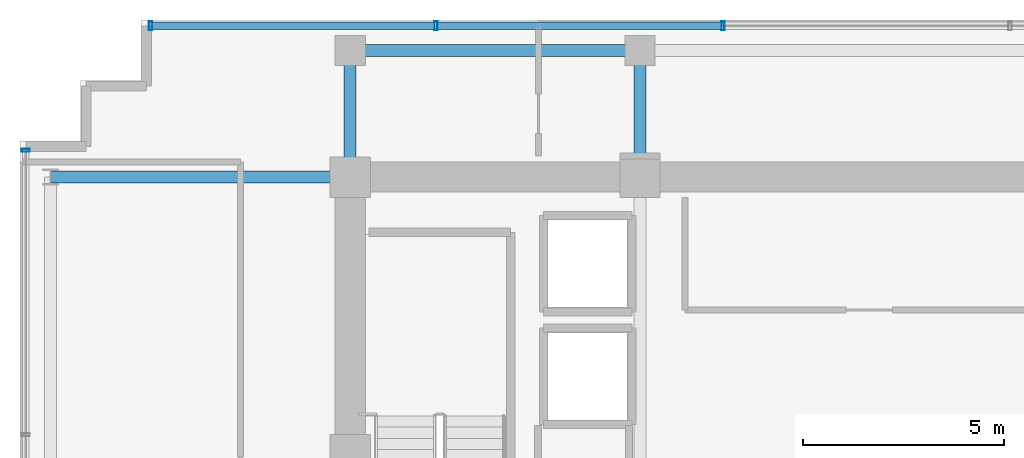
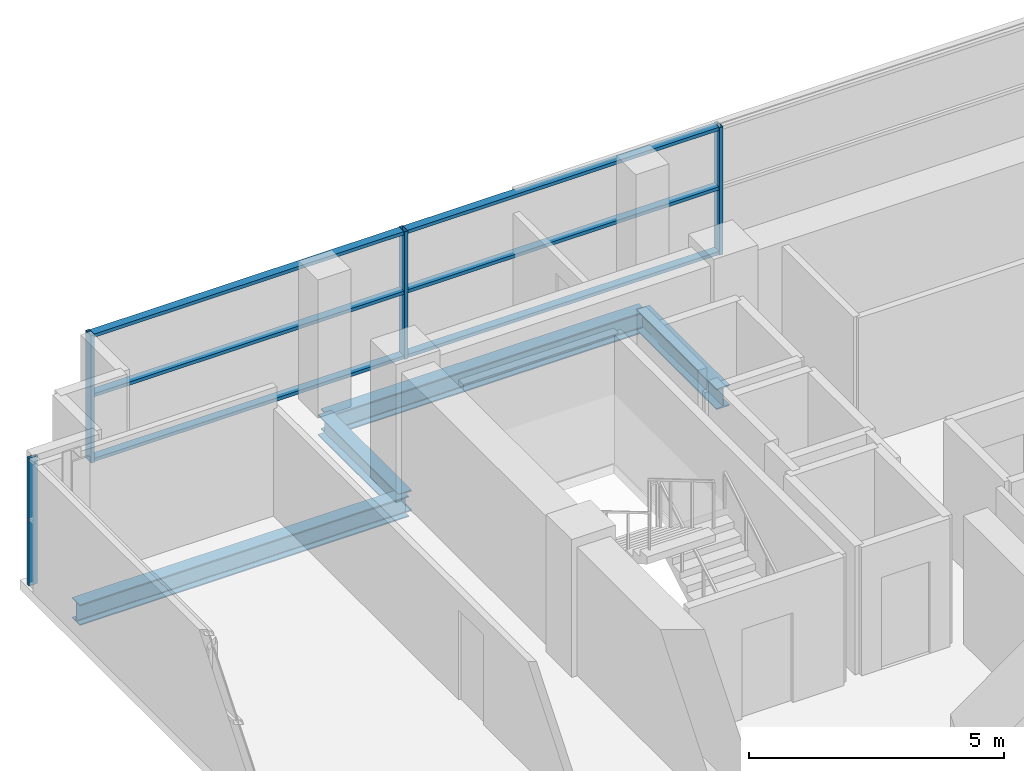
# One storey, part 10 of 21: 10 members, 4 beams, 2 elements without a shape of their own.
"""IFC4 building model written with IfcOpenShell, lengths in metres."""

from ifc_helpers import new_model, si_unit, direction, frame, origin, origin_2d, place, context, subcontext, project, spatial, hollow_rectangle, i_section, extrude, source, transform, mapped, material, layer, layer_set, material_profile, profile_set, type_object, element, aggregate, save


model = new_model("IFC4")

# Units and contexts
model_context = context("Model", 3, precision=1e-05, world=origin(), true_north=direction((0.0, 1.0)))
body_context = subcontext(model_context, "Body", "Model", "MODEL_VIEW")
ifc_project = project(units=[si_unit("LENGTHUNIT", "METRE"), si_unit("AREAUNIT", "SQUARE_METRE"), si_unit("VOLUMEUNIT", "CUBIC_METRE"), si_unit("PLANEANGLEUNIT", "RADIAN"), si_unit("MASSUNIT", "GRAM", prefix="KILO")], contexts=[model_context])

# Site, building, storey
site_placement = place(None, origin())
site = spatial("IfcSite", under=ifc_project, at=site_placement, CompositionType="ELEMENT")
building_placement = place(site_placement, origin())
building = spatial("IfcBuilding", under=site, at=building_placement, Name="Zarnakvel Exchange Tower", CompositionType="ELEMENT")
storey_placement = place(building_placement, frame((0.0, 0.0, 189.10009765625)))
storey = spatial("IfcBuildingStorey", under=building, at=storey_placement, Name="L53", CompositionType="ELEMENT", Elevation=189.10009765625)

# Beams
ifc_material_1 = material(Name="Steel S355", Category="steel")
ifc_material_profile_1 = material_profile(ifc_material_1, i_section(OverallWidth=0.300048828125, OverallDepth=0.5, WebThickness=0.014404296875, FlangeThickness=0.028076171875, FilletRadius=0.027099609375, at=origin_2d()))
ifc_profile_set_1 = profile_set([ifc_material_profile_1], Name="Steel S355")
beam_type_1 = type_object("IfcBeamType", Name="G-06", PredefinedType="BEAM", material=ifc_profile_set_1)
beam_1_placement = place(storey_placement, frame((-21.85009765625, 13.5, -0.47509765625), z_axis=(1.0, 0.0, 0.0), x_axis=(0.0, 1.0, 0.0)))
element("IfcBeam", 1, at=beam_1_placement, inside=storey, type_object=beam_type_1, Name="L53 Tower E-W Frame Beam", PredefinedType="BEAM", context=body_context, shape_type="SweptSolid", body=[
    extrude(i_section(OverallWidth=0.300048828125, OverallDepth=0.5, WebThickness=0.014404296875, FlangeThickness=0.028076171875, FilletRadius=0.027099609375, at=origin_2d()), origin(), (0.0, 0.0, 1.0), 7.4501953125),
])
for number, where, z_axis, x_axis, name in (
    (2, (-14.39990234375, 13.5, -0.47509765625), (0.0, 1.0, 0.0), (-1.0, 0.0, 0.0), "L53 Tower N-S Frame Beam"),
    (3, (-7.199951171875, 13.5, -0.47509765625), (0.0, 1.0, 0.0), (-1.0, 0.0, 0.0), "L53 Tower N-S Frame Beam"),
):
    element("IfcBeam", number, at=place(storey_placement, frame(where, z_axis=z_axis, x_axis=x_axis)), inside=storey, type_object=beam_type_1, Name=name, PredefinedType="BEAM", context=body_context, shape_type="SweptSolid", body=[
        extrude(i_section(OverallWidth=0.300048828125, OverallDepth=0.5, WebThickness=0.014404296875, FlangeThickness=0.028076171875, FilletRadius=0.027099609375, at=origin_2d()), origin(), (0.0, 0.0, 1.0), 3.14990234375),
    ])
ifc_material_profile_2 = material_profile(ifc_material_1, i_section(OverallWidth=0.300048828125, OverallDepth=0.5, WebThickness=0.014404296875, FlangeThickness=0.028076171875, FilletRadius=0.027099609375, at=origin_2d()))
ifc_profile_set_2 = profile_set([ifc_material_profile_2], Name="Steel S355")
beam_type_2 = type_object("IfcBeamType", Name="SP-02", PredefinedType="SPANDREL", material=ifc_profile_set_2)
beam_2_placement = place(storey_placement, frame((-14.39990234375, 16.64990234375, -0.47509765625), z_axis=(1.0, 0.0, 0.0), x_axis=(0.0, 1.0, 0.0)))
element("IfcBeam", 4, at=beam_2_placement, inside=storey, type_object=beam_type_2, Name="L53 Tower E-W Frame Beam", PredefinedType="SPANDREL", context=body_context, shape_type="SweptSolid", body=[
    extrude(i_section(OverallWidth=0.300048828125, OverallDepth=0.5, WebThickness=0.014404296875, FlangeThickness=0.028076171875, FilletRadius=0.027099609375, at=origin_2d()), origin(), (0.0, 0.0, 1.0), 7.199951171875),
])

# Curtain wall, member
ifc_material_2 = material(Name="Architectural Bronze Anodised Aluminium", Category="aluminium")
ifc_layer_1 = layer(ifc_material_2, 0.199951171875)
ifc_layer_set_1 = layer_set([ifc_layer_1], Name="Architectural Bronze Anodised Aluminium")
curtain_wall_type_1 = type_object("IfcCurtainWallType", Name="CW-04", PredefinedType="NOTDEFINED", material=ifc_layer_set_1)
curtain_wall_1_placement = place(storey_placement, origin())
curtain_wall_1 = element("IfcCurtainWall", 5, at=curtain_wall_1_placement, inside=storey, type_object=curtain_wall_type_1, Name="L53 Curtain Wall CW-L53-W1 (CW-04)", PredefinedType="NOTDEFINED")
ifc_material_profile_3 = material_profile(ifc_material_2, hollow_rectangle(XDim=0.199951171875, YDim=0.074951171875, WallThickness=0.0048828125, at=origin_2d()))
ifc_profile_set_3 = profile_set([ifc_material_profile_3], Name="Architectural Bronze Anodised Aluminium")
member_type_1 = type_object("IfcMemberType", Name="CWM-04", PredefinedType="MULLION", material=ifc_profile_set_3)
shared_shape_1 = source(origin(), body_context, "Body", "SweptSolid", [
    extrude(hollow_rectangle(XDim=0.199951171875, YDim=0.074951171875, WallThickness=0.0048828125, at=origin_2d()), origin(), (0.0, 0.0, 1.0), 3.054931640625),
])
member_1_placement = place(storey_placement, frame((-22.4599609375, 14.16259765625, 0.0), z_axis=(0.0, 0.0, 1.0), x_axis=(-1.0, 0.0, 0.0)))
member_1 = element("IfcMember", 6, at=member_1_placement, type_object=member_type_1, Name="CW-04 mullion 5", PredefinedType="MULLION", context=body_context, shape_type="MappedRepresentation", body=[
    mapped(shared_shape_1, transform((0.0, 0.0, 0.0), x_axis=(1.0, 0.0, 0.0), y_axis=(0.0, 1.0, 0.0), z_axis=(0.0, 0.0, 1.0), scale=1.0)),
])
aggregate(curtain_wall_1, [member_1])

# Curtain wall, members
ifc_layer_2 = layer(ifc_material_2, 0.219970703125)
ifc_layer_set_2 = layer_set([ifc_layer_2], Name="Architectural Bronze Anodised Aluminium")
curtain_wall_type_2 = type_object("IfcCurtainWallType", Name="CW-03", PredefinedType="NOTDEFINED", material=ifc_layer_set_2)
curtain_wall_2_placement = place(storey_placement, origin())
curtain_wall_2 = element("IfcCurtainWall", 7, at=curtain_wall_2_placement, inside=storey, type_object=curtain_wall_type_2, Name="L53 Curtain Wall CW-L53-N1 (CW-03)", PredefinedType="NOTDEFINED")
ifc_material_profile_4 = material_profile(ifc_material_2, hollow_rectangle(XDim=0.219970703125, YDim=0.080078125, WallThickness=0.0048828125, at=origin_2d()))
ifc_profile_set_4 = profile_set([ifc_material_profile_4], Name="Architectural Bronze Anodised Aluminium")
member_type_2 = type_object("IfcMemberType", Name="CWM-03", PredefinedType="MULLION", material=ifc_profile_set_4)
shared_shape_2 = source(origin(), body_context, "Body", "SweptSolid", [
    extrude(hollow_rectangle(XDim=0.219970703125, YDim=0.080078125, WallThickness=0.0048828125, at=origin_2d()), origin(), (0.0, 0.0, 1.0), 3.054931640625),
])
member_2_placement = place(storey_placement, frame((-19.360107421875, 17.260009765625, 0.0), z_axis=(0.0, 0.0, 1.0), x_axis=(0.0, 1.0, 0.0)))
member_2 = element("IfcMember", 8, at=member_2_placement, type_object=member_type_2, Name="CW-03 mullion 1", PredefinedType="MULLION", context=body_context, shape_type="MappedRepresentation", body=[
    mapped(shared_shape_2, transform((0.0, 0.0, 0.0), x_axis=(1.0, 0.0, 0.0), y_axis=(0.0, 1.0, 0.0), z_axis=(0.0, 0.0, 1.0), scale=1.0)),
])
member_3_placement = place(storey_placement, frame((-12.2666015625, 17.260009765625, 0.0), z_axis=(0.0, 0.0, 1.0), x_axis=(0.0, 1.0, 0.0)))
member_3 = element("IfcMember", 9, at=member_3_placement, type_object=member_type_2, Name="CW-03 mullion 2", PredefinedType="MULLION", context=body_context, shape_type="MappedRepresentation", body=[
    mapped(shared_shape_2, transform((0.0, 0.0, 0.0), x_axis=(1.0, 0.0, 0.0), y_axis=(0.0, 1.0, 0.0), z_axis=(0.0, 0.0, 1.0), scale=1.0)),
])
member_4_placement = place(storey_placement, frame((-5.13330078125, 17.260009765625, 0.0), z_axis=(0.0, 0.0, 1.0), x_axis=(0.0, 1.0, 0.0)))
member_4 = element("IfcMember", 10, at=member_4_placement, type_object=member_type_2, Name="CW-03 mullion 3", PredefinedType="MULLION", context=body_context, shape_type="MappedRepresentation", body=[
    mapped(shared_shape_2, transform((0.0, 0.0, 0.0), x_axis=(1.0, 0.0, 0.0), y_axis=(0.0, 1.0, 0.0), z_axis=(0.0, 0.0, 1.0), scale=1.0)),
])
ifc_material_profile_5 = material_profile(ifc_material_2, hollow_rectangle(XDim=0.179931640625, YDim=0.080078125, WallThickness=0.00390625, at=origin_2d()))
ifc_profile_set_5 = profile_set([ifc_material_profile_5], Name="Architectural Bronze Anodised Aluminium")
member_type_3 = type_object("IfcMemberType", Name="CWT-03", PredefinedType="USERDEFINED", material=ifc_profile_set_5)
shared_shape_3 = source(origin(), body_context, "Body", "SweptSolid", [
    extrude(hollow_rectangle(XDim=0.179931640625, YDim=0.080078125, WallThickness=0.00390625, at=origin_2d()), origin(), (0.0, 0.0, 1.0), 7.013427734375),
])
member_5_placement = place(storey_placement, frame((-19.320068359375, 17.260009765625, 0.039794921875), z_axis=(1.0, 0.0, 0.0), x_axis=(0.0, 1.0, 0.0)))
member_5 = element("IfcMember", 11, at=member_5_placement, type_object=member_type_3, Name="CW-03 transom 1.1", ObjectType="TRANSOM", PredefinedType="USERDEFINED", context=body_context, shape_type="MappedRepresentation", body=[
    mapped(shared_shape_3, transform((0.0, 0.0, 0.0), x_axis=(1.0, 0.0, 0.0), y_axis=(0.0, 1.0, 0.0), z_axis=(0.0, 0.0, 1.0), scale=1.0)),
])
member_6_placement = place(storey_placement, frame((-19.320068359375, 17.260009765625, 1.588623046875), z_axis=(1.0, 0.0, 0.0), x_axis=(0.0, 1.0, 0.0)))
member_6 = element("IfcMember", 12, at=member_6_placement, type_object=member_type_3, Name="CW-03 transom 1.2", ObjectType="TRANSOM", PredefinedType="USERDEFINED", context=body_context, shape_type="MappedRepresentation", body=[
    mapped(shared_shape_3, transform((0.0, 0.0, 0.0), x_axis=(1.0, 0.0, 0.0), y_axis=(0.0, 1.0, 0.0), z_axis=(0.0, 0.0, 1.0), scale=1.0)),
])
member_7_placement = place(storey_placement, frame((-19.320068359375, 17.260009765625, 3.014892578125), z_axis=(1.0, 0.0, 0.0), x_axis=(0.0, 1.0, 0.0)))
member_7 = element("IfcMember", 13, at=member_7_placement, type_object=member_type_3, Name="CW-03 transom 1.3", ObjectType="TRANSOM", PredefinedType="USERDEFINED", context=body_context, shape_type="MappedRepresentation", body=[
    mapped(shared_shape_3, transform((0.0, 0.0, 0.0), x_axis=(1.0, 0.0, 0.0), y_axis=(0.0, 1.0, 0.0), z_axis=(0.0, 0.0, 1.0), scale=1.0)),
])
shared_shape_4 = source(origin(), body_context, "Body", "SweptSolid", [
    extrude(hollow_rectangle(XDim=0.179931640625, YDim=0.080078125, WallThickness=0.00390625, at=origin_2d()), origin(), (0.0, 0.0, 1.0), 7.05322265625),
])
member_8_placement = place(storey_placement, frame((-12.2265625, 17.260009765625, 0.039794921875), z_axis=(1.0, 0.0, 0.0), x_axis=(0.0, 1.0, 0.0)))
member_8 = element("IfcMember", 14, at=member_8_placement, type_object=member_type_3, Name="CW-03 transom 2.1", ObjectType="TRANSOM", PredefinedType="USERDEFINED", context=body_context, shape_type="MappedRepresentation", body=[
    mapped(shared_shape_4, transform((0.0, 0.0, 0.0), x_axis=(1.0, 0.0, 0.0), y_axis=(0.0, 1.0, 0.0), z_axis=(0.0, 0.0, 1.0), scale=1.0)),
])
member_9_placement = place(storey_placement, frame((-12.2265625, 17.260009765625, 1.588623046875), z_axis=(1.0, 0.0, 0.0), x_axis=(0.0, 1.0, 0.0)))
member_9 = element("IfcMember", 15, at=member_9_placement, type_object=member_type_3, Name="CW-03 transom 2.2", ObjectType="TRANSOM", PredefinedType="USERDEFINED", context=body_context, shape_type="MappedRepresentation", body=[
    mapped(shared_shape_4, transform((0.0, 0.0, 0.0), x_axis=(1.0, 0.0, 0.0), y_axis=(0.0, 1.0, 0.0), z_axis=(0.0, 0.0, 1.0), scale=1.0)),
])
member_10_placement = place(storey_placement, frame((-12.2265625, 17.260009765625, 3.014892578125), z_axis=(1.0, 0.0, 0.0), x_axis=(0.0, 1.0, 0.0)))
member_10 = element("IfcMember", 16, at=member_10_placement, type_object=member_type_3, Name="CW-03 transom 2.3", ObjectType="TRANSOM", PredefinedType="USERDEFINED", context=body_context, shape_type="MappedRepresentation", body=[
    mapped(shared_shape_4, transform((0.0, 0.0, 0.0), x_axis=(1.0, 0.0, 0.0), y_axis=(0.0, 1.0, 0.0), z_axis=(0.0, 0.0, 1.0), scale=1.0)),
])
aggregate(curtain_wall_2, [member_2, member_3, member_4, member_5, member_6, member_7, member_8, member_9, member_10])

save(model, "model.ifc")
